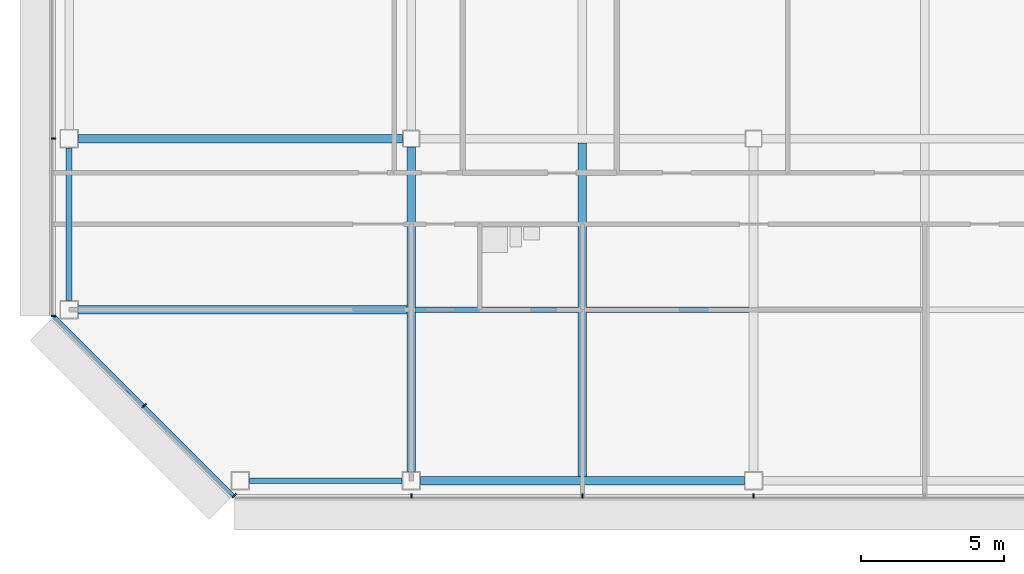
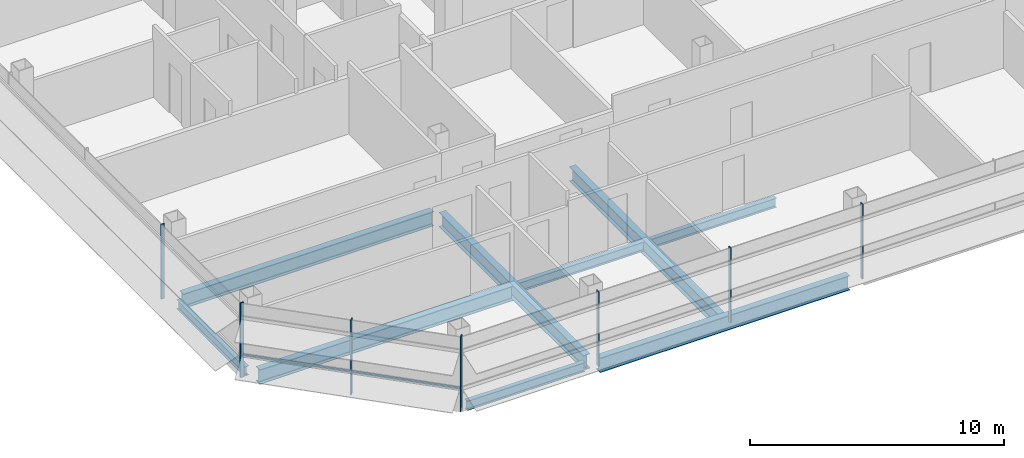
# One storey, part 2 of 26: 9 beams, 8 members, 3 elements without a shape of their own.
"""IFC4 building model written with IfcOpenShell, lengths in metres."""

from ifc_helpers import new_model, si_unit, direction, frame, origin, origin_2d, place, context, subcontext, project, spatial, rectangle, i_section, extrude, material, material_profile, profile_set, type_object, element, aggregate, save


model = new_model("IFC4")

# Units and contexts
model_context = context("Model", 3, precision=1e-05, world=origin(), true_north=direction((0.0, 1.0)))
body_context = subcontext(model_context, "Body", "Model", "MODEL_VIEW")
ifc_project = project(units=[si_unit("LENGTHUNIT", "METRE"), si_unit("AREAUNIT", "SQUARE_METRE"), si_unit("VOLUMEUNIT", "CUBIC_METRE"), si_unit("PLANEANGLEUNIT", "RADIAN"), si_unit("MASSUNIT", "GRAM", prefix="KILO")], contexts=[model_context])

# Site, building, storey
site_placement = place(None, origin())
site = spatial("IfcSite", under=ifc_project, at=site_placement, CompositionType="ELEMENT")
building_placement = place(site_placement, origin())
building = spatial("IfcBuilding", under=site, at=building_placement, Name="Sorahane Residences", CompositionType="ELEMENT")
storey_placement = place(building_placement, frame((0.0, 0.0, 215.39990234375)))
storey = spatial("IfcBuildingStorey", under=building, at=storey_placement, Name="L50", CompositionType="ELEMENT", Elevation=215.39990234375)

# Curtain wall, members
ifc_material_1 = material(Name="Dark low-e glass and black anodised aluminium", Category="aluminium")
curtain_wall_type_1 = type_object("IfcCurtainWallType", Name="Curtain wall CW-1 Typical unitised wall", PredefinedType="NOTDEFINED", material=ifc_material_1)
curtain_wall_1_placement = place(storey_placement, origin())
curtain_wall_1 = element("IfcCurtainWall", 1, at=curtain_wall_1_placement, inside=storey, type_object=curtain_wall_type_1, Name="CW-1 curtain wall L50 S1", PredefinedType="NOTDEFINED")
ifc_material_2 = material(Name="Black anodised aluminium", Category="aluminium")
ifc_material_profile_1 = material_profile(ifc_material_2, rectangle(XDim=0.159912109375, YDim=0.050048828125, at=origin_2d()), Name="Curtain wall mullion CW-1 black anodised aluminium 50x160")
ifc_profile_set_1 = profile_set([ifc_material_profile_1], Name="Black anodised aluminium")
member_type_1 = type_object("IfcMemberType", Name="Curtain wall mullion CW-1 black anodised aluminium 50x160", PredefinedType="MULLION", material=ifc_profile_set_1)
member_1_placement = place(storey_placement, frame((0.0, -0.5400390625, -0.179931640625), z_axis=(0.0, 0.0, 1.0), x_axis=(0.0, -1.0, 0.0)))
member_1 = element("IfcMember", 2, at=member_1_placement, type_object=member_type_1, Name="CW-1 mullion L50 S1.2", PredefinedType="MULLION", context=body_context, shape_type="SweptSolid", body=[
    extrude(rectangle(XDim=0.159912109375, YDim=0.050048828125, at=origin_2d()), origin(), (0.0, 0.0, 1.0), 3.60009765625),
])
member_2_placement = place(storey_placement, frame((6.0, -0.5400390625, -0.179931640625), z_axis=(0.0, 0.0, 1.0), x_axis=(0.0, -1.0, 0.0)))
member_2 = element("IfcMember", 3, at=member_2_placement, type_object=member_type_1, Name="CW-1 mullion L50 S1.3", PredefinedType="MULLION", context=body_context, shape_type="SweptSolid", body=[
    extrude(rectangle(XDim=0.159912109375, YDim=0.050048828125, at=origin_2d()), origin(), (0.0, 0.0, 1.0), 3.60009765625),
])
member_3_placement = place(storey_placement, frame((12.0, -0.5400390625, -0.179931640625), z_axis=(0.0, 0.0, 1.0), x_axis=(0.0, -1.0, 0.0)))
member_3 = element("IfcMember", 4, at=member_3_placement, type_object=member_type_1, Name="CW-1 mullion L50 S1.4", PredefinedType="MULLION", context=body_context, shape_type="SweptSolid", body=[
    extrude(rectangle(XDim=0.159912109375, YDim=0.050048828125, at=origin_2d()), origin(), (0.0, 0.0, 1.0), 3.60009765625),
])
aggregate(curtain_wall_1, [member_1, member_2, member_3])

curtain_wall_2_placement = place(storey_placement, origin())
curtain_wall_2 = element("IfcCurtainWall", 5, at=curtain_wall_2_placement, inside=storey, type_object=curtain_wall_type_1, Name="CW-1 curtain wall L50 W1", PredefinedType="NOTDEFINED")
member_4_placement = place(storey_placement, frame((-12.5400390625, 12.0, -0.179931640625), z_axis=(0.0, 0.0, 1.0), x_axis=(-1.0, 0.0, 0.0)))
member_4 = element("IfcMember", 6, at=member_4_placement, type_object=member_type_1, Name="CW-1 mullion L50 W1.6", PredefinedType="MULLION", context=body_context, shape_type="SweptSolid", body=[
    extrude(rectangle(XDim=0.159912109375, YDim=0.050048828125, at=origin_2d()), origin(), (0.0, 0.0, 1.0), 3.60009765625),
])
member_5_placement = place(storey_placement, frame((-12.5400390625, 5.7763671875, -0.179931640625), z_axis=(0.0, 0.0, 1.0), x_axis=(-1.0, 0.0, 0.0)))
member_5 = element("IfcMember", 7, at=member_5_placement, type_object=member_type_1, Name="CW-1 mullion L50 W1.7", PredefinedType="MULLION", context=body_context, shape_type="SweptSolid", body=[
    extrude(rectangle(XDim=0.159912109375, YDim=0.050048828125, at=origin_2d()), origin(), (0.0, 0.0, 1.0), 3.60009765625),
])
aggregate(curtain_wall_2, [member_4, member_5])

ifc_material_3 = material(Name="Dark low-e glass and black anodised aluminium", Category="aluminium")
curtain_wall_type_2 = type_object("IfcCurtainWallType", Name="Curtain wall CW-2 Chamfer unitised wall", PredefinedType="NOTDEFINED", material=ifc_material_3)
curtain_wall_3_placement = place(storey_placement, origin())
curtain_wall_3 = element("IfcCurtainWall", 8, at=curtain_wall_3_placement, inside=storey, type_object=curtain_wall_type_2, Name="CW-2 curtain wall L50 SW1", PredefinedType="NOTDEFINED")
ifc_material_4 = material(Name="Black anodised aluminium", Category="aluminium")
ifc_material_profile_2 = material_profile(ifc_material_4, rectangle(XDim=0.199951171875, YDim=0.050048828125, at=origin_2d()), Name="Curtain wall mullion CW-2 black anodised aluminium 50x200")
ifc_profile_set_2 = profile_set([ifc_material_profile_2], Name="Black anodised aluminium")
member_type_2 = type_object("IfcMemberType", Name="Curtain wall mullion CW-2 black anodised aluminium 50x200", PredefinedType="MULLION", material=ifc_profile_set_2)
member_6_placement = place(storey_placement, frame((-9.36767578125, 2.63232421875, -0.179931640625), z_axis=(0.0, 0.0, 1.0), x_axis=(-0.707106781187, -0.707106781187, 0.0)))
member_6 = element("IfcMember", 9, at=member_6_placement, type_object=member_type_2, Name="CW-2 mullion L50 SW1.2", PredefinedType="MULLION", context=body_context, shape_type="SweptSolid", body=[
    extrude(rectangle(XDim=0.199951171875, YDim=0.050048828125, at=origin_2d()), origin(), (0.0, 0.0, 1.0), 3.60009765625),
])
member_7_placement = place(storey_placement, frame((-6.209716796875, -0.525634765625, -0.179931640625), z_axis=(0.0, 0.0, 1.0), x_axis=(-0.707106781187, -0.707106781187, 0.0)))
member_7 = element("IfcMember", 10, at=member_7_placement, type_object=member_type_2, Name="CW-2 mullion L50 SW1.3", PredefinedType="MULLION", context=body_context, shape_type="SweptSolid", body=[
    extrude(rectangle(XDim=0.199951171875, YDim=0.050048828125, at=origin_2d()), origin(), (0.0, 0.0, 1.0), 3.60009765625),
])
ifc_material_5 = material(Name="Black anodised aluminium", Category="aluminium")
ifc_material_profile_3 = material_profile(ifc_material_5, rectangle(XDim=0.10009765625, YDim=0.06005859375, at=origin_2d()), Name="Curtain wall transom CW-2 black anodised aluminium 60x100")
ifc_profile_set_3 = profile_set([ifc_material_profile_3], Name="Black anodised aluminium")
member_type_3 = type_object("IfcMemberType", Name="Curtain wall transom CW-2 black anodised aluminium 60x100", PredefinedType="USERDEFINED", material=ifc_profile_set_3)
member_8_placement = place(storey_placement, frame((-12.51513671875, 5.765625, 0.900146484375), z_axis=(0.707106781187, -0.707106781187, 0.0), x_axis=(0.707106781187, 0.707106781187, 0.0)))
member_8 = element("IfcMember", 11, at=member_8_placement, type_object=member_type_3, Name="CW-2 transom L50 SW1", ObjectType="TRANSOM", PredefinedType="USERDEFINED", context=body_context, shape_type="SweptSolid", body=[
    extrude(rectangle(XDim=0.10009765625, YDim=0.06005859375, at=origin_2d()), origin(), (0.0, 0.0, 1.0), 8.88232421875),
])
aggregate(curtain_wall_3, [member_6, member_7, member_8])

# Beams
ifc_material_6 = material(Name="Steel Q355B", Category="steel")
ifc_material_profile_4 = material_profile(ifc_material_6, i_section(OverallWidth=0.199951171875, OverallDepth=0.449951171875, WebThickness=0.009033203125, FlangeThickness=0.013916015625, FilletRadius=0.02001953125, at=origin_2d()), Name="HN 450x200x9x14")
ifc_profile_set_4 = profile_set([ifc_material_profile_4], Name="Steel Q355B")
beam_type_1 = type_object("IfcBeamType", Name="Steel floor beam HN 450x200x9x14 Q355B", PredefinedType="BEAM", material=ifc_profile_set_4)
for number, where, z_axis, x_axis, name in (
    (12, (-5.675048828125, 0.0, -0.40478515625), (1.0, 0.0, 0.0), (0.0, 1.0, 0.0), "Beam L50 000"),
    (13, (-12.0, 6.324951171875, -0.40478515625), (0.0, 1.0, 0.0), (-1.0, 0.0, 0.0), "Beam L50 020"),
):
    element("IfcBeam", number, at=place(storey_placement, frame(where, z_axis=z_axis, x_axis=x_axis)), inside=storey, type_object=beam_type_1, Name=name, PredefinedType="BEAM", context=body_context, shape_type="SweptSolid", body=[
        extrude(i_section(OverallWidth=0.199951171875, OverallDepth=0.449951171875, WebThickness=0.009033203125, FlangeThickness=0.013916015625, FilletRadius=0.02001953125, at=origin_2d()), origin(), (0.0, 0.0, 1.0), 5.35009765625),
    ])
for number, where, z_axis, x_axis, name in (
    (14, (0.14990234375, 6.0, -0.40478515625), (1.0, 0.0, 0.0), (0.0, 1.0, 0.0), "Beam L50 069"),
    (15, (6.14990234375, 6.0, -0.40478515625), (1.0, 0.0, 0.0), (0.0, 1.0, 0.0), "Beam L50 070"),
):
    element("IfcBeam", number, at=place(storey_placement, frame(where, z_axis=z_axis, x_axis=x_axis)), inside=storey, type_object=beam_type_1, Name=name, PredefinedType="BEAM", context=body_context, shape_type="SweptSolid", body=[
        extrude(i_section(OverallWidth=0.199951171875, OverallDepth=0.449951171875, WebThickness=0.009033203125, FlangeThickness=0.013916015625, FilletRadius=0.02001953125, at=origin_2d()), origin(), (0.0, 0.0, 1.0), 5.7001953125),
    ])
ifc_material_7 = material(Name="Steel Q355B", Category="steel")
ifc_material_profile_5 = material_profile(ifc_material_7, i_section(OverallWidth=0.300048828125, OverallDepth=0.699951171875, WebThickness=0.012939453125, FlangeThickness=0.02392578125, FilletRadius=0.028076171875, at=origin_2d()), Name="HN 700x300x13x24")
ifc_profile_set_5 = profile_set([ifc_material_profile_5], Name="Steel Q355B")
beam_type_2 = type_object("IfcBeamType", Name="Steel floor beam HN 700x300x13x24 Q355B", PredefinedType="BEAM", material=ifc_profile_set_5)
beam_1_placement = place(storey_placement, frame((0.324951171875, 0.0, -0.52978515625), z_axis=(1.0, 0.0, 0.0), x_axis=(0.0, 1.0, 0.0)))
element("IfcBeam", 16, at=beam_1_placement, inside=storey, type_object=beam_type_2, Name="Beam L50 001", PredefinedType="BEAM", context=body_context, shape_type="SweptSolid", body=[
    extrude(i_section(OverallWidth=0.300048828125, OverallDepth=0.699951171875, WebThickness=0.012939453125, FlangeThickness=0.02392578125, FilletRadius=0.028076171875, at=origin_2d()), origin(), (0.0, 0.0, 1.0), 11.35009765625),
])
for number, where, z_axis, x_axis, name in (
    (17, (-11.675048828125, 12.0, -0.52978515625), (1.0, 0.0, 0.0), (0.0, 1.0, 0.0), "Beam L50 005"),
    (18, (0.0, 0.324951171875, -0.52978515625), (0.0, 1.0, 0.0), (-1.0, 0.0, 0.0), "Beam L50 024"),
):
    element("IfcBeam", number, at=place(storey_placement, frame(where, z_axis=z_axis, x_axis=x_axis)), inside=storey, type_object=beam_type_2, Name=name, PredefinedType="BEAM", context=body_context, shape_type="SweptSolid", body=[
        extrude(i_section(OverallWidth=0.300048828125, OverallDepth=0.699951171875, WebThickness=0.012939453125, FlangeThickness=0.02392578125, FilletRadius=0.028076171875, at=origin_2d()), origin(), (0.0, 0.0, 1.0), 11.375),
    ])
beam_2_placement = place(storey_placement, frame((6.0, 0.14990234375, -0.52978515625), z_axis=(0.0, 1.0, 0.0), x_axis=(-1.0, 0.0, 0.0)))
element("IfcBeam", 19, at=beam_2_placement, inside=storey, type_object=beam_type_2, Name="Beam L50 028", PredefinedType="BEAM", context=body_context, shape_type="SweptSolid", body=[
    extrude(i_section(OverallWidth=0.300048828125, OverallDepth=0.699951171875, WebThickness=0.012939453125, FlangeThickness=0.02392578125, FilletRadius=0.028076171875, at=origin_2d()), origin(), (0.0, 0.0, 1.0), 11.7001953125),
])
beam_3_placement = place(storey_placement, frame((-11.675048828125, 6.0, -0.52978515625), z_axis=(1.0, 0.0, 0.0), x_axis=(0.0, 1.0, 0.0)))
element("IfcBeam", 20, at=beam_3_placement, inside=storey, type_object=beam_type_2, Name="Beam L50 068", PredefinedType="BEAM", context=body_context, shape_type="SweptSolid", body=[
    extrude(i_section(OverallWidth=0.300048828125, OverallDepth=0.699951171875, WebThickness=0.012939453125, FlangeThickness=0.02392578125, FilletRadius=0.028076171875, at=origin_2d()), origin(), (0.0, 0.0, 1.0), 11.525146484375),
])

save(model, "model.ifc")
